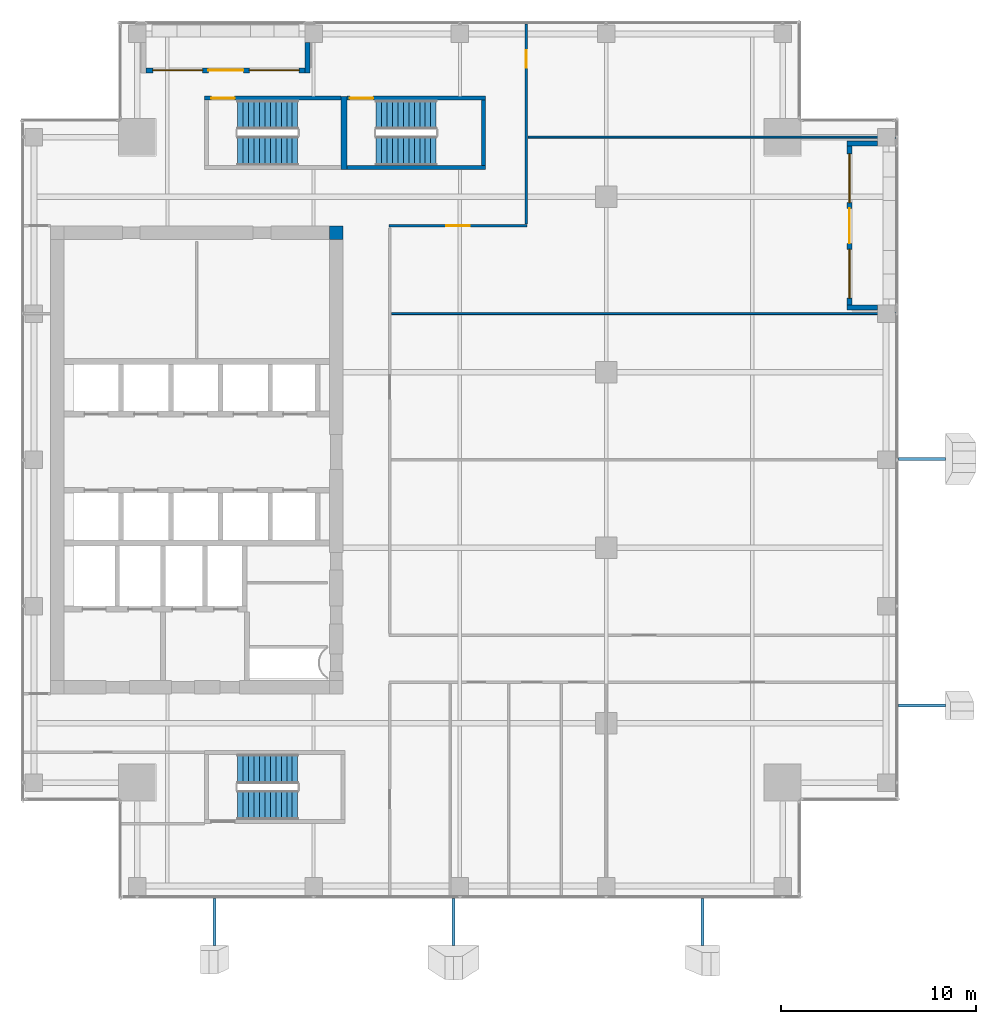
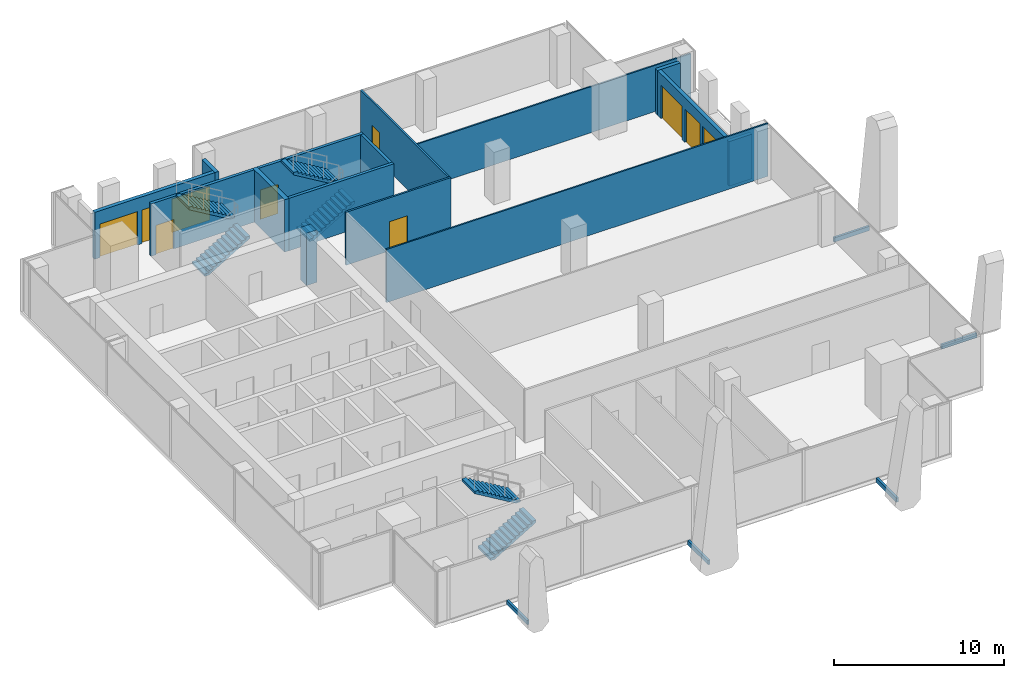
# One storey, part 32 of 35: 15 walls, 6 doors, 6 stair flights, 5 discrete accessories, 4 windows, 10 openings, 3 elements without a shape of their own.
"""IFC4 building model written with IfcOpenShell, lengths in metres."""

from ifc_helpers import new_model, si_unit, direction, frame, frame_2d, origin, origin_2d, place, context, subcontext, project, spatial, polyline, rectangle, outline, extrude, source, transform, mapped, material, layer, layer_set, type_object, element, fill, aggregate, save


model = new_model("IFC4")

# Units and contexts
model_context = context("Model", 3, precision=1e-05, world=origin(), true_north=direction((0.0, 1.0)))
body_context = subcontext(model_context, "Body", "Model", "MODEL_VIEW")
ifc_project = project(units=[si_unit("LENGTHUNIT", "METRE"), si_unit("AREAUNIT", "SQUARE_METRE"), si_unit("VOLUMEUNIT", "CUBIC_METRE"), si_unit("PLANEANGLEUNIT", "RADIAN"), si_unit("MASSUNIT", "GRAM", prefix="KILO")], contexts=[model_context])

# Site, building, storey
site_placement = place(None, origin())
site = spatial("IfcSite", under=ifc_project, at=site_placement, CompositionType="ELEMENT")
building_placement = place(site_placement, origin())
building = spatial("IfcBuilding", under=site, at=building_placement, Name="Khomas Fold Tower", CompositionType="ELEMENT")
storey_placement = place(building_placement, frame((0.0, 0.0, 250.199951171875)))
storey = spatial("IfcBuildingStorey", under=building, at=storey_placement, Name="L56", CompositionType="ELEMENT", Elevation=250.199951171875)

# Wall, opening, door
ifc_material_1 = material(Name="Concrete C50/60", Category="concrete")
ifc_layer_1 = layer(ifc_material_1, 0.199951171875)
ifc_layer_set_1 = layer_set([ifc_layer_1], Name="Concrete C50/60")
wall_type_1 = type_object("IfcWallType", Name="Stair wall 200", PredefinedType="SHEAR", material=ifc_layer_set_1)
shared_shape_1 = source(origin(), body_context, "Body", "SweptSolid", [
    extrude(rectangle(XDim=7.0, YDim=0.199951171875, at=frame_2d((3.5, 0.0))), origin(), (0.0, 0.0, 1.0), 3.75),
])
wall_1_placement = place(storey_placement, frame((13.89990234375, 45.550048828125, 0.0), z_axis=(0.0, 0.0, 1.0), x_axis=(1.0, 0.0, 0.0)))
wall_1 = element("IfcWall", 1, at=wall_1_placement, inside=storey, type_object=wall_type_1, Name="Stair wall SW-ST1-N", PredefinedType="SHEAR", context=body_context, shape_type="MappedRepresentation", body=[
    mapped(shared_shape_1, transform((0.0, 0.0, 0.0))),
])
shared_shape_2 = source(origin(), body_context, "Body", "SweptSolid", [
    extrude(rectangle(XDim=1.199951171875, YDim=2.10009765625, at=frame_2d((0.60009765625, 1.050048828125))), frame((0.0, 0.10986328125, 0.0), z_axis=(0.0, -1.0, 0.0), x_axis=(1.0, 0.0, 0.0)), (0.0, 0.0, 1.0), 0.219970703125),
])
opening_1_placement = place(wall_1_placement, frame((0.35009765625, 0.0, 0.0)))
opening_1 = element("IfcOpeningElement", 2, at=opening_1_placement, cuts=wall_1, Name="Opening SD-ST1", PredefinedType="OPENING", context=body_context, shape_type="MappedRepresentation", body=[
    mapped(shared_shape_2, transform((0.0, 0.0, 0.0))),
])
ifc_material_2 = material(Name="Steel door leaf", Category="steel")
door_type_1 = type_object("IfcDoorType", Name="Stair door 1200x2100 left-hand", OperationType="SINGLE_SWING_LEFT", PredefinedType="DOOR", material=ifc_material_2)
shared_shape_3 = source(origin(), body_context, "Body", "SweptSolid", [
    extrude(rectangle(XDim=1.199951171875, YDim=2.10009765625, at=frame_2d((0.60009765625, 1.050048828125))), frame((0.0, 0.02490234375, 0.0), z_axis=(0.0, -1.0, 0.0), x_axis=(1.0, 0.0, 0.0)), (0.0, 0.0, 1.0), 0.050048828125),
])
door_1_placement = place(opening_1_placement, origin())
door_1 = element("IfcDoor", 3, at=door_1_placement, inside=storey, type_object=door_type_1, Name="Stair door", OperationType="SINGLE_SWING_LEFT", OverallHeight=2.10009765625, OverallWidth=1.199951171875, PredefinedType="DOOR", context=body_context, shape_type="MappedRepresentation", body=[
    mapped(shared_shape_3, transform((0.0, 0.0, 0.0))),
])
fill(opening_1, door_1)

shared_shape_4 = source(origin(), body_context, "Body", "SweptSolid", [
    extrude(rectangle(XDim=7.10009765625, YDim=0.199951171875, at=frame_2d((3.550048828125, 0.0))), origin(), (0.0, 0.0, 1.0), 3.75),
])
wall_2_placement = place(storey_placement, frame((21.199951171875, 45.550048828125, 0.0), z_axis=(0.0, 0.0, 1.0), x_axis=(1.0, 0.0, 0.0)))
wall_2 = element("IfcWall", 4, at=wall_2_placement, inside=storey, type_object=wall_type_1, Name="Stair wall SW-ST3-N", PredefinedType="SHEAR", context=body_context, shape_type="MappedRepresentation", body=[
    mapped(shared_shape_4, transform((0.0, 0.0, 0.0))),
])
opening_2_placement = place(wall_2_placement, frame((0.14990234375, 0.0, 0.0)))
opening_2 = element("IfcOpeningElement", 5, at=opening_2_placement, cuts=wall_2, Name="Opening SD-ST3", PredefinedType="OPENING", context=body_context, shape_type="MappedRepresentation", body=[
    mapped(shared_shape_2, transform((0.0, 0.0, 0.0))),
])
door_2_placement = place(opening_2_placement, origin())
door_2 = element("IfcDoor", 6, at=door_2_placement, inside=storey, type_object=door_type_1, Name="Stair door", OperationType="SINGLE_SWING_LEFT", OverallHeight=2.10009765625, OverallWidth=1.199951171875, PredefinedType="DOOR", context=body_context, shape_type="MappedRepresentation", body=[
    mapped(shared_shape_3, transform((0.0, 0.0, 0.0))),
])
fill(opening_2, door_2)

# Walls
wall_3_placement = place(storey_placement, frame((21.199951171875, 42.0, 0.0), z_axis=(0.0, 0.0, 1.0), x_axis=(1.0, 0.0, 0.0)))
element("IfcWall", 7, at=wall_3_placement, inside=storey, type_object=wall_type_1, Name="Stair wall SW-ST3-S", PredefinedType="SHEAR", context=body_context, shape_type="MappedRepresentation", body=[
    mapped(shared_shape_4, transform((0.0, 0.0, 0.0))),
])
ifc_material_3 = material(Name="Concrete C50/60", Category="concrete")
ifc_layer_2 = layer(ifc_material_3, 0.300048828125)
ifc_layer_set_2 = layer_set([ifc_layer_2], Name="Concrete C50/60")
wall_type_2 = type_object("IfcWallType", Name="Stair wall 300", PredefinedType="SHEAR", material=ifc_layer_set_2)
shared_shape_5 = source(origin(), body_context, "Body", "SweptSolid", [
    extrude(rectangle(XDim=3.75, YDim=0.300048828125, at=frame_2d((1.875, 0.0))), origin(), (0.0, 0.0, 1.0), 3.75),
])
wall_4_placement = place(storey_placement, frame((21.050048828125, 41.89990234375, 0.0), z_axis=(0.0, 0.0, 1.0), x_axis=(0.0, 1.0, 0.0)))
element("IfcWall", 8, at=wall_4_placement, inside=storey, type_object=wall_type_2, Name="Stair wall SW-ST1-E", PredefinedType="SHEAR", context=body_context, shape_type="MappedRepresentation", body=[
    mapped(shared_shape_5, transform((0.0, 0.0, 0.0))),
])
shared_shape_6 = source(origin(), body_context, "Body", "SweptSolid", [
    extrude(rectangle(XDim=3.349853515625, YDim=0.199951171875, at=frame_2d((1.6748046875, 0.0))), origin(), (0.0, 0.0, 1.0), 3.75),
])
wall_5_placement = place(storey_placement, frame((28.199951171875, 42.10009765625, 0.0), z_axis=(0.0, 0.0, 1.0), x_axis=(0.0, 1.0, 0.0)))
element("IfcWall", 9, at=wall_5_placement, inside=storey, type_object=wall_type_1, Name="Stair wall SW-ST3-E", PredefinedType="SHEAR", context=body_context, shape_type="MappedRepresentation", body=[
    mapped(shared_shape_6, transform((0.0, 0.0, 0.0))),
])
ifc_material_4 = material(Name="Concrete C60/75", Category="concrete")
ifc_layer_3 = layer(ifc_material_4, 0.699951171875)
ifc_layer_set_3 = layer_set([ifc_layer_3], Name="Concrete C60/75")
wall_type_3 = type_object("IfcWallType", Name="Core corner wall 700", PredefinedType="SHEAR", material=ifc_layer_set_3)
shared_shape_7 = source(origin(), body_context, "Body", "SweptSolid", [
    extrude(rectangle(XDim=0.699951171875, YDim=0.699951171875, at=frame_2d((0.35009765625, 0.0))), origin(), (0.0, 0.0, 1.0), 3.75),
])
wall_6_placement = place(storey_placement, frame((20.300048828125, 38.64990234375, 0.0), z_axis=(0.0, 0.0, 1.0), x_axis=(1.0, 0.0, 0.0)))
element("IfcWall", 10, at=wall_6_placement, inside=storey, type_object=wall_type_3, Name="Core wall CW-U-NE-L49", PredefinedType="SHEAR", context=body_context, shape_type="MappedRepresentation", body=[
    mapped(shared_shape_7, transform((0.0, 0.0, 0.0))),
])

# Wall, openings, door, windows
ifc_material_5 = material(Name="Natural stone", Category="masonry")
ifc_layer_4 = layer(ifc_material_5, 0.0400390625)
ifc_material_6 = material(Name="Mineral wool insulation", Category="insulation")
ifc_layer_5 = layer(ifc_material_6, 0.10009765625)
ifc_material_7 = material(Name="Masonry", Category="masonry")
ifc_layer_6 = layer(ifc_material_7, 0.110107421875)
ifc_layer_set_4 = layer_set([ifc_layer_4, ifc_layer_5, ifc_layer_6], Name="Stone-faced insulated masonry")
wall_type_4 = type_object("IfcWallType", Name="BL-Balcony wall", PredefinedType="SOLIDWALL", material=ifc_layer_set_4)
shared_shape_8 = source(origin(), body_context, "Body", "SweptSolid", [
    extrude(rectangle(XDim=8.150146484375, YDim=0.25, at=frame_2d((4.0751953125, 0.0))), origin(), (0.0, 0.0, 1.0), 3.35009765625),
])
wall_7_placement = place(storey_placement, frame((10.89990234375, 46.97509765625, 0.0), z_axis=(0.0, 0.0, 1.0), x_axis=(1.0, 0.0, 0.0)))
wall_7 = element("IfcWall", 11, at=wall_7_placement, inside=storey, type_object=wall_type_4, Name="Balcony wall BAL-L56-N1", PredefinedType="SOLIDWALL", context=body_context, shape_type="MappedRepresentation", body=[
    mapped(shared_shape_8, transform((0.0, 0.0, 0.0))),
])
shared_shape_9 = source(origin(), body_context, "Body", "SweptSolid", [
    extrude(rectangle(XDim=2.550048828125, YDim=2.39990234375, at=frame_2d((1.27490234375, 1.199951171875))), frame((0.0, 0.135009765625, 0.0), z_axis=(0.0, -1.0, 0.0), x_axis=(1.0, 0.0, 0.0)), (0.0, 0.0, 1.0), 0.27001953125),
])
opening_3_placement = place(wall_7_placement, frame((0.35009765625, 0.0, 0.0)))
opening_3 = element("IfcOpeningElement", 12, at=opening_3_placement, cuts=wall_7, Name="Opening BL-W4", PredefinedType="OPENING", context=body_context, shape_type="MappedRepresentation", body=[
    mapped(shared_shape_9, transform((0.0, 0.0, 0.0))),
])
opening_4_placement = place(wall_7_placement, frame((5.300048828125, 0.0, 0.0)))
opening_4 = element("IfcOpeningElement", 13, at=opening_4_placement, cuts=wall_7, Name="Opening BL-W4", PredefinedType="OPENING", context=body_context, shape_type="MappedRepresentation", body=[
    mapped(shared_shape_9, transform((0.0, 0.0, 0.0))),
])
shared_shape_10 = source(origin(), body_context, "Body", "SweptSolid", [
    extrude(rectangle(XDim=1.800048828125, YDim=2.39990234375, at=frame_2d((0.89990234375, 1.199951171875))), frame((0.0, 0.135009765625, 0.0), z_axis=(0.0, -1.0, 0.0), x_axis=(1.0, 0.0, 0.0)), (0.0, 0.0, 1.0), 0.27001953125),
])
opening_5_placement = place(wall_7_placement, frame((3.199951171875, 0.0, 0.0)))
opening_5 = element("IfcOpeningElement", 14, at=opening_5_placement, cuts=wall_7, Name="Opening BD562", PredefinedType="OPENING", context=body_context, shape_type="MappedRepresentation", body=[
    mapped(shared_shape_10, transform((0.0, 0.0, 0.0))),
])
ifc_material_8 = material(Name="Aluminium framed double glazing", Category="aluminium")
door_type_2 = type_object("IfcDoorType", Name="BL-Glazed balcony door 1800 x 2400", OperationType="DOUBLE_DOOR_DOUBLE_SWING", PredefinedType="DOOR", material=ifc_material_8)
shared_shape_11 = source(origin(), body_context, "Body", "SweptSolid", [
    extrude(rectangle(XDim=1.800048828125, YDim=2.39990234375, at=frame_2d((0.89990234375, 1.199951171875))), frame((0.0, 0.02490234375, 0.0), z_axis=(0.0, -1.0, 0.0), x_axis=(1.0, 0.0, 0.0)), (0.0, 0.0, 1.0), 0.050048828125),
])
door_3_placement = place(opening_5_placement, origin())
door_3 = element("IfcDoor", 15, at=door_3_placement, inside=storey, type_object=door_type_2, Name="Balcony door BD562", OperationType="DOUBLE_DOOR_DOUBLE_SWING", OverallHeight=2.39990234375, OverallWidth=1.800048828125, PredefinedType="DOOR", context=body_context, shape_type="MappedRepresentation", body=[
    mapped(shared_shape_11, transform((0.0, 0.0, 0.0))),
])
fill(opening_5, door_3)
ifc_material_9 = material(Name="Aluminium framed double glazing", Category="aluminium")
window_type_1 = type_object("IfcWindowType", Name="BL-Fixed glazing 2550 x 2400", PartitioningType="SINGLE_PANEL", PredefinedType="WINDOW", material=ifc_material_9)
shared_shape_12 = source(origin(), body_context, "Body", "SweptSolid", [
    extrude(rectangle(XDim=2.550048828125, YDim=2.39990234375, at=frame_2d((1.27490234375, 1.199951171875))), frame((0.0, 0.030029296875, 0.0), z_axis=(0.0, -1.0, 0.0), x_axis=(1.0, 0.0, 0.0)), (0.0, 0.0, 1.0), 0.06005859375),
])
window_1_placement = place(opening_3_placement, origin())
window_1 = element("IfcWindow", 16, at=window_1_placement, inside=storey, type_object=window_type_1, Name="Balcony glazing BAL-L56-N1-1", OverallHeight=2.39990234375, OverallWidth=2.550048828125, PartitioningType="SINGLE_PANEL", PredefinedType="WINDOW", context=body_context, shape_type="MappedRepresentation", body=[
    mapped(shared_shape_12, transform((0.0, 0.0, 0.0))),
])
fill(opening_3, window_1)
window_2_placement = place(opening_4_placement, origin())
window_2 = element("IfcWindow", 17, at=window_2_placement, inside=storey, type_object=window_type_1, Name="Balcony glazing BAL-L56-N1-2", OverallHeight=2.39990234375, OverallWidth=2.550048828125, PartitioningType="SINGLE_PANEL", PredefinedType="WINDOW", context=body_context, shape_type="MappedRepresentation", body=[
    mapped(shared_shape_12, transform((0.0, 0.0, 0.0))),
])
fill(opening_4, window_2)

# Walls
shared_shape_13 = source(origin(), body_context, "Body", "SweptSolid", [
    extrude(rectangle(XDim=1.5498046875, YDim=0.25, at=frame_2d((0.77490234375, 0.0))), origin(), (0.0, 0.0, 1.0), 3.35009765625),
])
wall_8_placement = place(storey_placement, frame((19.175048828125, 48.39990234375, 0.0), z_axis=(0.0, 0.0, 1.0), x_axis=(0.0, -1.0, 0.0)))
element("IfcWall", 18, at=wall_8_placement, inside=storey, type_object=wall_type_4, Name="Balcony return wall BAL-L56-N1-hi", PredefinedType="SOLIDWALL", context=body_context, shape_type="MappedRepresentation", body=[
    mapped(shared_shape_13, transform((0.0, 0.0, 0.0))),
])
shared_shape_14 = source(origin(), body_context, "Body", "SweptSolid", [
    extrude(rectangle(XDim=1.5498046875, YDim=0.25, at=frame_2d((0.77490234375, 0.0))), origin(), (0.0, 0.0, 1.0), 3.199951171875),
])
for number, where, z_axis, x_axis, name in (
    (19, (48.39990234375, 34.824951171875, 0.0), (0.0, 0.0, 1.0), (-1.0, 0.0, 0.0), "Balcony return wall BAL-L56-E4-lo"),
    (20, (48.39990234375, 43.22509765625, 0.0), (0.0, 0.0, 1.0), (-1.0, 0.0, 0.0), "Balcony return wall BAL-L56-E4-hi"),
):
    element("IfcWall", number, at=place(storey_placement, frame(where, z_axis=z_axis, x_axis=x_axis)), inside=storey, type_object=wall_type_4, Name=name, PredefinedType="SOLIDWALL", context=body_context, shape_type="MappedRepresentation", body=[
        mapped(shared_shape_14, transform((0.0, 0.0, 0.0))),
    ])

# Wall, openings, door, windows
shared_shape_15 = source(origin(), body_context, "Body", "SweptSolid", [
    extrude(rectangle(XDim=8.150146484375, YDim=0.25, at=frame_2d((4.0751953125, 0.0))), origin(), (0.0, 0.0, 1.0), 3.199951171875),
])
wall_9_placement = place(storey_placement, frame((46.97509765625, 34.949951171875, 0.0), z_axis=(0.0, 0.0, 1.0), x_axis=(0.0, 1.0, 0.0)))
wall_9 = element("IfcWall", 21, at=wall_9_placement, inside=storey, type_object=wall_type_4, Name="Balcony wall BAL-L56-E4", PredefinedType="SOLIDWALL", context=body_context, shape_type="MappedRepresentation", body=[
    mapped(shared_shape_15, transform((0.0, 0.0, 0.0))),
])
shared_shape_16 = source(origin(), body_context, "Body", "SweptSolid", [
    extrude(rectangle(XDim=2.5, YDim=2.39990234375, at=frame_2d((1.25, 1.199951171875))), frame((0.0, 0.135009765625, 0.0), z_axis=(0.0, -1.0, 0.0), x_axis=(1.0, 0.0, 0.0)), (0.0, 0.0, 1.0), 0.27001953125),
])
opening_6_placement = place(wall_9_placement, frame((0.35009765625, 0.0, 0.0)))
opening_6 = element("IfcOpeningElement", 22, at=opening_6_placement, cuts=wall_9, Name="Opening BL-W5", PredefinedType="OPENING", context=body_context, shape_type="MappedRepresentation", body=[
    mapped(shared_shape_16, transform((0.0, 0.0, 0.0))),
])
opening_7_placement = place(wall_9_placement, frame((5.25, 0.0, 0.0)))
opening_7 = element("IfcOpeningElement", 23, at=opening_7_placement, cuts=wall_9, Name="Opening BL-W5", PredefinedType="OPENING", context=body_context, shape_type="MappedRepresentation", body=[
    mapped(shared_shape_16, transform((0.0, 0.0, 0.0))),
])
opening_8_placement = place(wall_9_placement, frame((3.14990234375, 0.0, 0.0)))
opening_8 = element("IfcOpeningElement", 24, at=opening_8_placement, cuts=wall_9, Name="Opening BD561", PredefinedType="OPENING", context=body_context, shape_type="MappedRepresentation", body=[
    mapped(shared_shape_10, transform((0.0, 0.0, 0.0))),
])
door_4_placement = place(opening_8_placement, origin())
door_4 = element("IfcDoor", 25, at=door_4_placement, inside=storey, type_object=door_type_2, Name="Balcony door BD561", OperationType="DOUBLE_DOOR_DOUBLE_SWING", OverallHeight=2.39990234375, OverallWidth=1.800048828125, PredefinedType="DOOR", context=body_context, shape_type="MappedRepresentation", body=[
    mapped(shared_shape_11, transform((0.0, 0.0, 0.0))),
])
fill(opening_8, door_4)
ifc_material_10 = material(Name="Aluminium framed double glazing", Category="aluminium")
window_type_2 = type_object("IfcWindowType", Name="BL-Fixed glazing 2500 x 2400", PartitioningType="SINGLE_PANEL", PredefinedType="WINDOW", material=ifc_material_10)
shared_shape_17 = source(origin(), body_context, "Body", "SweptSolid", [
    extrude(rectangle(XDim=2.5, YDim=2.39990234375, at=frame_2d((1.25, 1.199951171875))), frame((0.0, 0.030029296875, 0.0), z_axis=(0.0, -1.0, 0.0), x_axis=(1.0, 0.0, 0.0)), (0.0, 0.0, 1.0), 0.06005859375),
])
window_3_placement = place(opening_6_placement, origin())
window_3 = element("IfcWindow", 26, at=window_3_placement, inside=storey, type_object=window_type_2, Name="Balcony glazing BAL-L56-E4-1", OverallHeight=2.39990234375, OverallWidth=2.5, PartitioningType="SINGLE_PANEL", PredefinedType="WINDOW", context=body_context, shape_type="MappedRepresentation", body=[
    mapped(shared_shape_17, transform((0.0, 0.0, 0.0))),
])
fill(opening_6, window_3)
window_4_placement = place(opening_7_placement, origin())
window_4 = element("IfcWindow", 27, at=window_4_placement, inside=storey, type_object=window_type_2, Name="Balcony glazing BAL-L56-E4-2", OverallHeight=2.39990234375, OverallWidth=2.5, PartitioningType="SINGLE_PANEL", PredefinedType="WINDOW", context=body_context, shape_type="MappedRepresentation", body=[
    mapped(shared_shape_17, transform((0.0, 0.0, 0.0))),
])
fill(opening_7, window_4)

# Wall, opening, door
ifc_material_11 = material(Name="Plasterboard partition")
ifc_layer_7 = layer(ifc_material_11, 0.125)
ifc_layer_set_5 = layer_set([ifc_layer_7], Name="Plasterboard partition")
wall_type_5 = type_object("IfcWallType", Name="Partition PW2 125", PredefinedType="PARTITIONING", material=ifc_layer_set_5)
shared_shape_18 = source(origin(), body_context, "Body", "SweptSolid", [
    extrude(rectangle(XDim=10.25, YDim=0.125, at=frame_2d((5.125, 0.0))), origin(), (0.0, 0.0, 1.0), 3.800048828125),
])
wall_10_placement = place(storey_placement, frame((30.39990234375, 39.10009765625, 0.0), z_axis=(0.0, 0.0, 1.0), x_axis=(0.0, 1.0, 0.0)))
wall_10 = element("IfcWall", 28, at=wall_10_placement, inside=storey, type_object=wall_type_5, Name="Partition", PredefinedType="PARTITIONING", context=body_context, shape_type="MappedRepresentation", body=[
    mapped(shared_shape_18, transform((0.0, 0.0, 0.0))),
])
shared_shape_19 = source(origin(), body_context, "Body", "SweptSolid", [
    extrude(rectangle(XDim=0.89990234375, YDim=2.10009765625, at=frame_2d((0.449951171875, 1.050048828125))), frame((0.0, 0.072509765625, 0.0), z_axis=(0.0, -1.0, 0.0), x_axis=(1.0, 0.0, 0.0)), (0.0, 0.0, 1.0), 0.14501953125),
])
opening_9_placement = place(wall_10_placement, frame((8.0, 0.0, 0.0)))
opening_9 = element("IfcOpeningElement", 29, at=opening_9_placement, cuts=wall_10, Name="Opening 0007", PredefinedType="OPENING", context=body_context, shape_type="MappedRepresentation", body=[
    mapped(shared_shape_19, transform((0.0, 0.0, 0.0))),
])
ifc_material_12 = material(Name="Timber door leaf", Category="wood")
door_type_3 = type_object("IfcDoorType", Name="Door 900x2100 left-hand", OperationType="SINGLE_SWING_LEFT", PredefinedType="DOOR", material=ifc_material_12)
shared_shape_20 = source(origin(), body_context, "Body", "SweptSolid", [
    extrude(rectangle(XDim=0.89990234375, YDim=2.10009765625, at=frame_2d((0.449951171875, 1.050048828125))), frame((0.0, 0.02490234375, 0.0), z_axis=(0.0, -1.0, 0.0), x_axis=(1.0, 0.0, 0.0)), (0.0, 0.0, 1.0), 0.050048828125),
])
door_5_placement = place(opening_9_placement, origin())
door_5 = element("IfcDoor", 30, at=door_5_placement, inside=storey, type_object=door_type_3, Name="Door", OperationType="SINGLE_SWING_LEFT", OverallHeight=2.10009765625, OverallWidth=0.89990234375, PredefinedType="DOOR", context=body_context, shape_type="MappedRepresentation", body=[
    mapped(shared_shape_20, transform((0.0, 0.0, 0.0))),
])
fill(opening_9, door_5)

shared_shape_21 = source(origin(), body_context, "Body", "SweptSolid", [
    extrude(rectangle(XDim=7.099853515625, YDim=0.125, at=frame_2d((3.5498046875, 0.0))), origin(), (0.0, 0.0, 1.0), 3.800048828125),
])
wall_11_placement = place(storey_placement, frame((23.35009765625, 39.0, 0.0), z_axis=(0.0, 0.0, 1.0), x_axis=(1.0, 0.0, 0.0)))
wall_11 = element("IfcWall", 31, at=wall_11_placement, inside=storey, type_object=wall_type_5, Name="Partition", PredefinedType="PARTITIONING", context=body_context, shape_type="MappedRepresentation", body=[
    mapped(shared_shape_21, transform((0.0, 0.0, 0.0))),
])
shared_shape_22 = source(origin(), body_context, "Body", "SweptSolid", [
    extrude(rectangle(XDim=1.199951171875, YDim=2.10009765625, at=frame_2d((0.60009765625, 1.050048828125))), frame((0.0, 0.072509765625, 0.0), z_axis=(0.0, -1.0, 0.0), x_axis=(1.0, 0.0, 0.0)), (0.0, 0.0, 1.0), 0.14501953125),
])
opening_10_placement = place(wall_11_placement, frame((2.949951171875, 0.0, 0.0)))
opening_10 = element("IfcOpeningElement", 32, at=opening_10_placement, cuts=wall_11, Name="Opening 0013", PredefinedType="OPENING", context=body_context, shape_type="MappedRepresentation", body=[
    mapped(shared_shape_22, transform((0.0, 0.0, 0.0))),
])
ifc_material_13 = material(Name="Timber door leaf", Category="wood")
door_type_4 = type_object("IfcDoorType", Name="Door 1200x2100 left-hand", OperationType="SINGLE_SWING_LEFT", PredefinedType="DOOR", material=ifc_material_13)
door_6_placement = place(opening_10_placement, origin())
door_6 = element("IfcDoor", 33, at=door_6_placement, inside=storey, type_object=door_type_4, Name="Door", OperationType="SINGLE_SWING_LEFT", OverallHeight=2.10009765625, OverallWidth=1.199951171875, PredefinedType="DOOR", context=body_context, shape_type="MappedRepresentation", body=[
    mapped(shared_shape_3, transform((0.0, 0.0, 0.0))),
])
fill(opening_10, door_6)

# Walls
ifc_material_14 = material(Name="Plasterboard partition")
ifc_layer_8 = layer(ifc_material_14, 0.10009765625)
ifc_layer_set_6 = layer_set([ifc_layer_8], Name="Plasterboard partition")
wall_type_6 = type_object("IfcWallType", Name="Partition PW1 100", PredefinedType="PARTITIONING", material=ifc_layer_set_6)
shared_shape_23 = source(origin(), body_context, "Body", "SweptSolid", [
    extrude(rectangle(XDim=25.85009765625, YDim=0.10009765625, at=frame_2d((12.925048828125, 0.0))), origin(), (0.0, 0.0, 1.0), 3.800048828125),
])
wall_12_placement = place(storey_placement, frame((23.5, 34.5, 0.0), z_axis=(0.0, 0.0, 1.0), x_axis=(1.0, 0.0, 0.0)))
element("IfcWall", 34, at=wall_12_placement, inside=storey, type_object=wall_type_6, Name="Partition", PredefinedType="PARTITIONING", context=body_context, shape_type="MappedRepresentation", body=[
    mapped(shared_shape_23, transform((0.0, 0.0, 0.0))),
])
shared_shape_24 = source(origin(), body_context, "Body", "SweptSolid", [
    extrude(rectangle(XDim=18.85009765625, YDim=0.10009765625, at=frame_2d((9.425048828125, 0.0))), origin(), (0.0, 0.0, 1.0), 3.300048828125),
])
wall_13_placement = place(storey_placement, frame((30.5, 43.550048828125, 0.0), z_axis=(0.0, 0.0, 1.0), x_axis=(1.0, 0.0, 0.0)))
element("IfcWall", 35, at=wall_13_placement, inside=storey, type_object=wall_type_6, Name="Partition", PredefinedType="PARTITIONING", context=body_context, shape_type="MappedRepresentation", body=[
    mapped(shared_shape_24, transform((0.0, 0.0, 0.0))),
])

# Stair, stair flights
ifc_material_15 = material(Name="Concrete C40/50", Category="concrete")
stair_type_1 = type_object("IfcStairType", Name="Stair ST1", PredefinedType="HALF_TURN_STAIR", material=ifc_material_15)
stair_1_placement = place(storey_placement, origin())
stair_1 = element("IfcStair", 36, at=stair_1_placement, inside=storey, type_object=stair_type_1, Name="L56 ST1", PredefinedType="HALF_TURN_STAIR")
ifc_material_16 = material(Name="Concrete C40/50", Category="concrete")
stair_flight_type_1 = type_object("IfcStairFlightType", Name="Stair flight 1500 ST1", PredefinedType="STRAIGHT", material=ifc_material_16)
shared_shape_25 = source(origin(), body_context, "Body", "SweptSolid", [
    extrude(outline(polyline([(0.0, 0.0), (0.0, 0.012939453125), (0.0, 0.025634765625), (0.0, 0.03857421875), (0.0, 0.05126953125), (0.0, 0.064208984375), (0.0, 0.076904296875), (0.0, 0.08984375), (0.0, 0.1025390625), (0.0, 0.115478515625), (0.0, 0.128173828125), (0.0, 0.14111328125), (0.0, 0.15380859375), (0.0, 0.166748046875), (0.280029296875, 0.166748046875), (0.280029296875, 0.333251953125), (0.56005859375, 0.333251953125), (0.56005859375, 0.5), (0.840087890625, 0.5), (0.840087890625, 0.666748046875), (1.1201171875, 0.666748046875), (1.1201171875, 0.833251953125), (1.39990234375, 0.833251953125), (1.39990234375, 1.0), (1.679931640625, 1.0), (1.679931640625, 1.166748046875), (1.9599609375, 1.166748046875), (1.9599609375, 1.333251953125), (2.239990234375, 1.333251953125), (2.239990234375, 1.5), (2.52001953125, 1.5), (2.52001953125, 1.666748046875), (2.800048828125, 1.666748046875), (2.800048828125, 1.833251953125), (3.080078125, 1.833251953125), (3.080078125, 2.0), (3.080078125, 1.973876953125), (3.080078125, 1.947509765625), (3.080078125, 1.92138671875), (3.080078125, 1.89501953125), (3.080078125, 1.868896484375), (3.080078125, 1.842529296875), (3.080078125, 1.81640625), (3.080078125, 1.7900390625), (3.080078125, 1.763916015625), (3.080078125, 1.737548828125), (3.080078125, 1.71142578125), (3.080078125, 1.68505859375), (3.080078125, 1.658935546875), (0.29296875, 0.0), (0.0, 0.0)])), frame((0.0, 0.75, 0.0), z_axis=(0.0, -1.0, 0.0), x_axis=(1.0, 0.0, 0.0)), (0.0, 0.0, 1.0), 1.5),
])
stair_flight_1_placement = place(storey_placement, frame((15.60009765625, 42.85009765625, 0.0), z_axis=(0.0, 0.0, 1.0), x_axis=(1.0, 0.0, 0.0)))
stair_flight_1 = element("IfcStairFlight", 37, at=stair_flight_1_placement, type_object=stair_flight_type_1, Name="ST1 flight 1", NumberOfRisers=12, NumberOfTreads=11, PredefinedType="STRAIGHT", RiserHeight=0.166666667, TreadLength=0.28, context=body_context, shape_type="MappedRepresentation", body=[
    mapped(shared_shape_25, transform((0.0, 0.0, 0.0))),
])
stair_flight_2_placement = place(storey_placement, frame((18.679931640625, 44.699951171875, 2.0), z_axis=(0.0, 0.0, 1.0), x_axis=(-1.0, 0.0, 0.0)))
stair_flight_2 = element("IfcStairFlight", 38, at=stair_flight_2_placement, type_object=stair_flight_type_1, Name="ST1 flight 2", NumberOfRisers=12, NumberOfTreads=11, PredefinedType="STRAIGHT", RiserHeight=0.166666667, TreadLength=0.28, context=body_context, shape_type="MappedRepresentation", body=[
    mapped(shared_shape_25, transform((0.0, 0.0, 0.0))),
])
aggregate(stair_1, [stair_flight_1, stair_flight_2])

ifc_material_17 = material(Name="Concrete C40/50", Category="concrete")
stair_type_2 = type_object("IfcStairType", Name="Stair ST2", PredefinedType="HALF_TURN_STAIR", material=ifc_material_17)
stair_2_placement = place(storey_placement, origin())
stair_2 = element("IfcStair", 39, at=stair_2_placement, inside=storey, type_object=stair_type_2, Name="L56 ST2", PredefinedType="HALF_TURN_STAIR")
ifc_material_18 = material(Name="Concrete C40/50", Category="concrete")
stair_flight_type_2 = type_object("IfcStairFlightType", Name="Stair flight 1500 ST2", PredefinedType="STRAIGHT", material=ifc_material_18)
stair_flight_3_placement = place(storey_placement, frame((15.60009765625, 9.300048828125, 0.0), z_axis=(0.0, 0.0, 1.0), x_axis=(1.0, 0.0, 0.0)))
stair_flight_3 = element("IfcStairFlight", 40, at=stair_flight_3_placement, type_object=stair_flight_type_2, Name="ST2 flight 1", NumberOfRisers=12, NumberOfTreads=11, PredefinedType="STRAIGHT", RiserHeight=0.166666667, TreadLength=0.28, context=body_context, shape_type="MappedRepresentation", body=[
    mapped(shared_shape_25, transform((0.0, 0.0, 0.0))),
])
stair_flight_4_placement = place(storey_placement, frame((18.679931640625, 11.14990234375, 2.0), z_axis=(0.0, 0.0, 1.0), x_axis=(-1.0, 0.0, 0.0)))
stair_flight_4 = element("IfcStairFlight", 41, at=stair_flight_4_placement, type_object=stair_flight_type_2, Name="ST2 flight 2", NumberOfRisers=12, NumberOfTreads=11, PredefinedType="STRAIGHT", RiserHeight=0.166666667, TreadLength=0.28, context=body_context, shape_type="MappedRepresentation", body=[
    mapped(shared_shape_25, transform((0.0, 0.0, 0.0))),
])
aggregate(stair_2, [stair_flight_3, stair_flight_4])

ifc_material_19 = material(Name="Concrete C40/50", Category="concrete")
stair_type_3 = type_object("IfcStairType", Name="Stair ST3", PredefinedType="HALF_TURN_STAIR", material=ifc_material_19)
stair_3_placement = place(storey_placement, origin())
stair_3 = element("IfcStair", 42, at=stair_3_placement, inside=storey, type_object=stair_type_3, Name="L56 ST3", PredefinedType="HALF_TURN_STAIR")
ifc_material_20 = material(Name="Concrete C40/50", Category="concrete")
stair_flight_type_3 = type_object("IfcStairFlightType", Name="Stair flight 1500 ST3", PredefinedType="STRAIGHT", material=ifc_material_20)
stair_flight_5_placement = place(storey_placement, frame((22.699951171875, 42.85009765625, 0.0), z_axis=(0.0, 0.0, 1.0), x_axis=(1.0, 0.0, 0.0)))
stair_flight_5 = element("IfcStairFlight", 43, at=stair_flight_5_placement, type_object=stair_flight_type_3, Name="ST3 flight 1", NumberOfRisers=12, NumberOfTreads=11, PredefinedType="STRAIGHT", RiserHeight=0.166666667, TreadLength=0.28, context=body_context, shape_type="MappedRepresentation", body=[
    mapped(shared_shape_25, transform((0.0, 0.0, 0.0))),
])
stair_flight_6_placement = place(storey_placement, frame((25.780029296875, 44.699951171875, 2.0), z_axis=(0.0, 0.0, 1.0), x_axis=(-1.0, 0.0, 0.0)))
stair_flight_6 = element("IfcStairFlight", 44, at=stair_flight_6_placement, type_object=stair_flight_type_3, Name="ST3 flight 2", NumberOfRisers=12, NumberOfTreads=11, PredefinedType="STRAIGHT", RiserHeight=0.166666667, TreadLength=0.28, context=body_context, shape_type="MappedRepresentation", body=[
    mapped(shared_shape_25, transform((0.0, 0.0, 0.0))),
])
aggregate(stair_3, [stair_flight_5, stair_flight_6])

# Discrete accessories
ifc_material_21 = material(Name="Stainless steel", Category="steel")
discrete_accessory_type = type_object("IfcDiscreteAccessoryType", Name="SK-Stainless steel stone bracket", PredefinedType="BRACKET", material=ifc_material_21)
shared_shape_26 = source(origin(), body_context, "Body", "SweptSolid", [
    extrude(rectangle(XDim=2.39404296875, YDim=0.14990234375, at=origin_2d()), origin(), (0.0, 0.0, 1.0), 0.31005859375),
])
for number, where, z_axis, x_axis, name in (
    (45, (14.417724609375, 3.302978515625, -0.25), (0.0, 0.0, 1.0), (0.0, -1.0, 0.0), "Stone bracket L56 SS03-1-1"),
    (46, (26.675048828125, 3.302978515625, -0.25), (0.0, 0.0, 1.0), (0.0, -1.0, 0.0), "Stone bracket L56 SS06-2-1"),
    (47, (39.436279296875, 3.302978515625, -0.25), (0.0, 0.0, 1.0), (0.0, -1.0, 0.0), "Stone bracket L56 SS09-3-1"),
    (48, (50.697021484375, 14.417724609375, -0.25), (0.0, 0.0, 1.0), (1.0, 0.0, 0.0), "Stone bracket L56 ES03-1-1"),
    (49, (50.697021484375, 27.046875, -0.25), (0.0, 0.0, 1.0), (1.0, 0.0, 0.0), "Stone bracket L56 ES06-2-1"),
):
    element("IfcDiscreteAccessory", number, at=place(storey_placement, frame(where, z_axis=z_axis, x_axis=x_axis)), inside=storey, type_object=discrete_accessory_type, Name=name, PredefinedType="BRACKET", context=body_context, shape_type="MappedRepresentation", body=[
        mapped(shared_shape_26, transform((0.0, 0.0, 0.0))),
    ])

save(model, "model.ifc")
